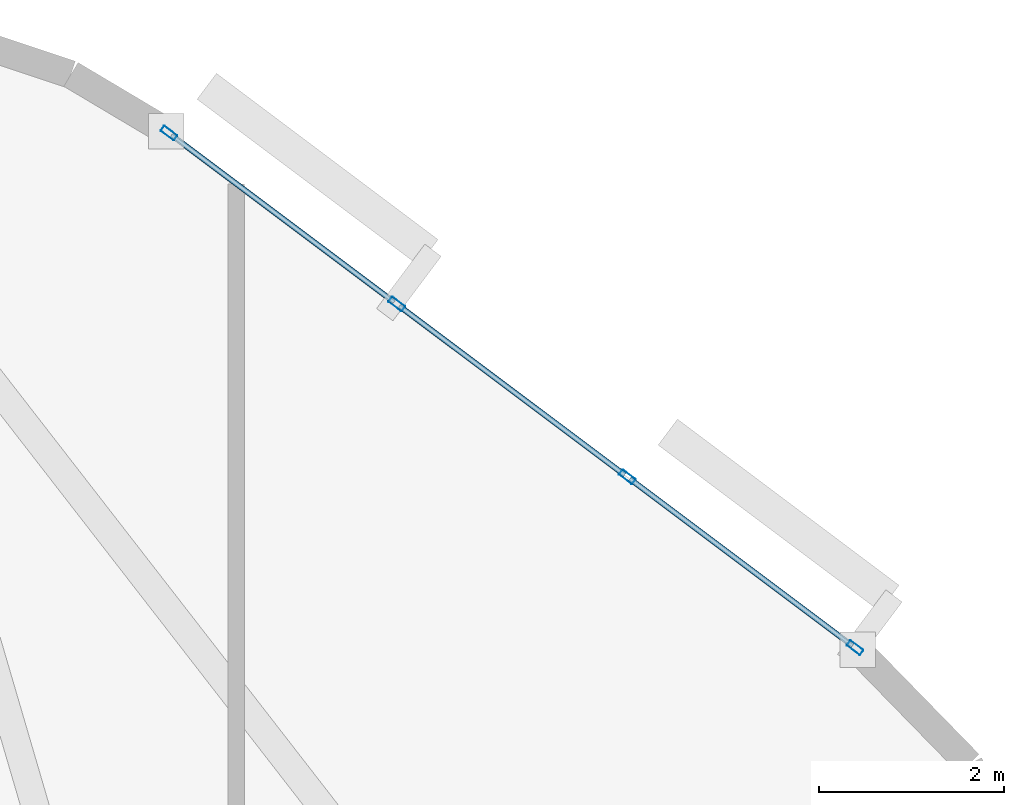
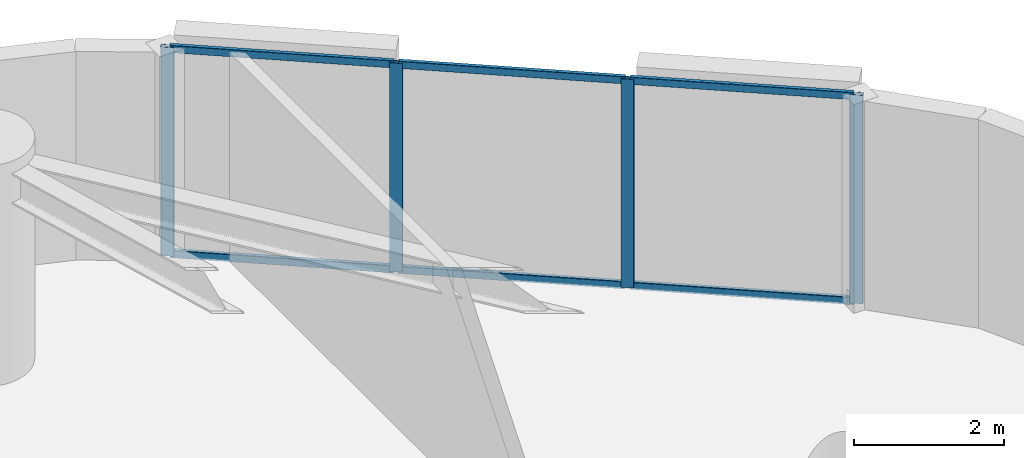
# One storey, part 6 of 14: 10 members, 1 element without a shape of its own.
"""IFC4 building model written with IfcOpenShell, lengths in metres."""

from ifc_helpers import new_model, si_unit, direction, frame, origin, origin_2d, place, context, subcontext, project, spatial, hollow_rectangle, extrude, material, layer, layer_set, material_profile, profile_set, type_object, element, aggregate, save


model = new_model("IFC4")

# Units and contexts
model_context = context("Model", 3, precision=1e-05, world=origin(), true_north=direction((0.0, 1.0)))
body_context = subcontext(model_context, "Body", "Model", "MODEL_VIEW")
ifc_project = project(units=[si_unit("LENGTHUNIT", "METRE"), si_unit("AREAUNIT", "SQUARE_METRE"), si_unit("VOLUMEUNIT", "CUBIC_METRE"), si_unit("PLANEANGLEUNIT", "RADIAN"), si_unit("MASSUNIT", "GRAM", prefix="KILO")], contexts=[model_context])

# Site, building, storey
site_placement = place(None, origin())
site = spatial("IfcSite", under=ifc_project, at=site_placement, CompositionType="ELEMENT")
building_placement = place(site_placement, origin())
building = spatial("IfcBuilding", under=site, at=building_placement, Name="An Khanh Terracotta Commons", CompositionType="ELEMENT")
storey_placement = place(building_placement, frame((0.0, 0.0, 104.300048828125)))
storey = spatial("IfcBuildingStorey", under=building, at=storey_placement, Name="L27", CompositionType="ELEMENT", Elevation=104.300048828125)

# Curtain wall, members
ifc_material = material(Name="Anodised Aluminium 6063-T6", Category="aluminium")
ifc_layer = layer(ifc_material, 0.199951171875, Name="Anodised Aluminium 6063-T6")
ifc_layer_set = layer_set([ifc_layer], Name="Anodised Aluminium 6063-T6")
curtain_wall_type = type_object("IfcCurtainWallType", Name="CW-SYS-02", PredefinedType="USERDEFINED", material=ifc_layer_set)
curtain_wall_placement = place(storey_placement, origin())
curtain_wall = element("IfcCurtainWall", 1, at=curtain_wall_placement, inside=storey, type_object=curtain_wall_type, Name="L27 CW-02 Unitised Curtain Wall CW-L27-16", ObjectType="UNITISED CURTAIN WALL", PredefinedType="USERDEFINED")
ifc_material_profile_1 = material_profile(ifc_material, hollow_rectangle(XDim=0.070068359375, YDim=0.179931640625, WallThickness=0.00390625, InnerFilletRadius=0.00390625, OuterFilletRadius=0.008056640625, at=origin_2d()), Name="RHS180x70x4")
ifc_profile_set_1 = profile_set([ifc_material_profile_1], Name="Anodised Aluminium 6063-T6")
member_type_1 = type_object("IfcMemberType", Name="CWM-RHS180x70x4", PredefinedType="MULLION", material=ifc_profile_set_1)
member_1_placement = place(storey_placement, frame((55.132080078125, 37.10107421875, 0.0), z_axis=(0.0, 0.0, 1.0), x_axis=(-0.599982857492, -0.800012856594, 0.0)))
member_1 = element("IfcMember", 2, at=member_1_placement, type_object=member_type_1, Name="CW-02 mullion 1", PredefinedType="MULLION", context=body_context, shape_type="SweptSolid", body=[
    extrude(hollow_rectangle(XDim=0.070068359375, YDim=0.179931640625, WallThickness=0.00390625, InnerFilletRadius=0.00390625, OuterFilletRadius=0.008056640625, at=origin_2d()), origin(), (0.0, 0.0, 1.0), 3.39990234375),
])
member_2_placement = place(storey_placement, frame((52.6708984375, 38.94677734375, 0.0), z_axis=(0.0, 0.0, 1.0), x_axis=(-0.599982857492, -0.800012856594, 0.0)))
member_2 = element("IfcMember", 3, at=member_2_placement, type_object=member_type_1, Name="CW-02 mullion 2", PredefinedType="MULLION", context=body_context, shape_type="SweptSolid", body=[
    extrude(hollow_rectangle(XDim=0.070068359375, YDim=0.179931640625, WallThickness=0.00390625, InnerFilletRadius=0.00390625, OuterFilletRadius=0.008056640625, at=origin_2d()), origin(), (0.0, 0.0, 1.0), 3.39990234375),
])
member_3_placement = place(storey_placement, frame((50.181884765625, 40.813232421875, 0.0), z_axis=(0.0, 0.0, 1.0), x_axis=(-0.599982857492, -0.800012856594, 0.0)))
member_3 = element("IfcMember", 4, at=member_3_placement, type_object=member_type_1, Name="CW-02 mullion 3", PredefinedType="MULLION", context=body_context, shape_type="SweptSolid", body=[
    extrude(hollow_rectangle(XDim=0.070068359375, YDim=0.179931640625, WallThickness=0.00390625, InnerFilletRadius=0.00390625, OuterFilletRadius=0.008056640625, at=origin_2d()), origin(), (0.0, 0.0, 1.0), 3.39990234375),
])
member_4_placement = place(storey_placement, frame((47.720947265625, 42.658935546875, 0.0), z_axis=(0.0, 0.0, 1.0), x_axis=(-0.599982857492, -0.800012856594, 0.0)))
member_4 = element("IfcMember", 5, at=member_4_placement, type_object=member_type_1, Name="CW-02 mullion 4", PredefinedType="MULLION", context=body_context, shape_type="SweptSolid", body=[
    extrude(hollow_rectangle(XDim=0.070068359375, YDim=0.179931640625, WallThickness=0.00390625, InnerFilletRadius=0.00390625, OuterFilletRadius=0.008056640625, at=origin_2d()), origin(), (0.0, 0.0, 1.0), 3.39990234375),
])
ifc_material_profile_2 = material_profile(ifc_material, hollow_rectangle(XDim=0.06005859375, YDim=0.1201171875, WallThickness=0.003662109375, InnerFilletRadius=0.003662109375, OuterFilletRadius=0.007080078125, at=origin_2d()), Name="RHS120x60x3.6")
ifc_profile_set_2 = profile_set([ifc_material_profile_2], Name="Anodised Aluminium 6063-T6")
member_type_2 = type_object("IfcMemberType", Name="CWT-RHS120x60x3.6", PredefinedType="USERDEFINED", material=ifc_profile_set_2)
member_5_placement = place(storey_placement, frame((55.10400390625, 37.1220703125, 0.030029296875), z_axis=(-0.800009745217, 0.599987006158, 0.0), x_axis=(-0.599987006158, -0.800009745217, 0.0)))
member_5 = element("IfcMember", 6, at=member_5_placement, type_object=member_type_2, Name="CW-02 transom 1.1", ObjectType="TRANSOM", PredefinedType="USERDEFINED", context=body_context, shape_type="SweptSolid", body=[
    extrude(hollow_rectangle(XDim=0.06005859375, YDim=0.1201171875, WallThickness=0.003662109375, InnerFilletRadius=0.003662109375, OuterFilletRadius=0.007080078125, at=origin_2d()), origin(), (0.0, 0.0, 1.0), 3.00634765625),
])
member_6_placement = place(storey_placement, frame((55.10400390625, 37.1220703125, 3.369873046875), z_axis=(-0.800009745217, 0.599987006158, 0.0), x_axis=(-0.599987006158, -0.800009745217, 0.0)))
member_6 = element("IfcMember", 7, at=member_6_placement, type_object=member_type_2, Name="CW-02 transom 1.2", ObjectType="TRANSOM", PredefinedType="USERDEFINED", context=body_context, shape_type="SweptSolid", body=[
    extrude(hollow_rectangle(XDim=0.06005859375, YDim=0.1201171875, WallThickness=0.003662109375, InnerFilletRadius=0.003662109375, OuterFilletRadius=0.007080078125, at=origin_2d()), origin(), (0.0, 0.0, 1.0), 3.00634765625),
])
member_7_placement = place(storey_placement, frame((52.64306640625, 38.9677734375, 0.030029296875), z_axis=(-0.800057796972, 0.599922929638, 0.0), x_axis=(-0.599922929638, -0.800057796972, 0.0)))
member_7 = element("IfcMember", 8, at=member_7_placement, type_object=member_type_2, Name="CW-02 transom 2.1", ObjectType="TRANSOM", PredefinedType="USERDEFINED", context=body_context, shape_type="SweptSolid", body=[
    extrude(hollow_rectangle(XDim=0.06005859375, YDim=0.1201171875, WallThickness=0.003662109375, InnerFilletRadius=0.003662109375, OuterFilletRadius=0.007080078125, at=origin_2d()), origin(), (0.0, 0.0, 1.0), 3.041259765625),
])
member_8_placement = place(storey_placement, frame((52.64306640625, 38.9677734375, 3.369873046875), z_axis=(-0.800057796972, 0.599922929638, 0.0), x_axis=(-0.599922929638, -0.800057796972, 0.0)))
member_8 = element("IfcMember", 9, at=member_8_placement, type_object=member_type_2, Name="CW-02 transom 2.2", ObjectType="TRANSOM", PredefinedType="USERDEFINED", context=body_context, shape_type="SweptSolid", body=[
    extrude(hollow_rectangle(XDim=0.06005859375, YDim=0.1201171875, WallThickness=0.003662109375, InnerFilletRadius=0.003662109375, OuterFilletRadius=0.007080078125, at=origin_2d()), origin(), (0.0, 0.0, 1.0), 3.041259765625),
])
member_9_placement = place(storey_placement, frame((50.154052734375, 40.834228515625, 0.030029296875), z_axis=(-0.800009745217, 0.599987006158, 0.0), x_axis=(-0.599987006158, -0.800009745217, 0.0)))
member_9 = element("IfcMember", 10, at=member_9_placement, type_object=member_type_2, Name="CW-02 transom 3.1", ObjectType="TRANSOM", PredefinedType="USERDEFINED", context=body_context, shape_type="SweptSolid", body=[
    extrude(hollow_rectangle(XDim=0.06005859375, YDim=0.1201171875, WallThickness=0.003662109375, InnerFilletRadius=0.003662109375, OuterFilletRadius=0.007080078125, at=origin_2d()), origin(), (0.0, 0.0, 1.0), 3.00634765625),
])
member_10_placement = place(storey_placement, frame((50.154052734375, 40.834228515625, 3.369873046875), z_axis=(-0.800009745217, 0.599987006158, 0.0), x_axis=(-0.599987006158, -0.800009745217, 0.0)))
member_10 = element("IfcMember", 11, at=member_10_placement, type_object=member_type_2, Name="CW-02 transom 3.2", ObjectType="TRANSOM", PredefinedType="USERDEFINED", context=body_context, shape_type="SweptSolid", body=[
    extrude(hollow_rectangle(XDim=0.06005859375, YDim=0.1201171875, WallThickness=0.003662109375, InnerFilletRadius=0.003662109375, OuterFilletRadius=0.007080078125, at=origin_2d()), origin(), (0.0, 0.0, 1.0), 3.00634765625),
])
aggregate(curtain_wall, [member_1, member_2, member_3, member_4, member_5, member_6, member_7, member_8, member_9, member_10])

save(model, "model.ifc")
